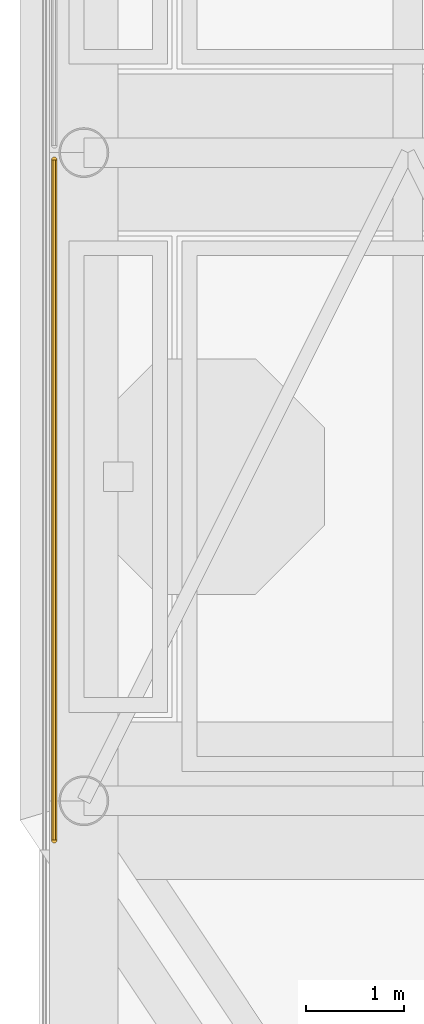
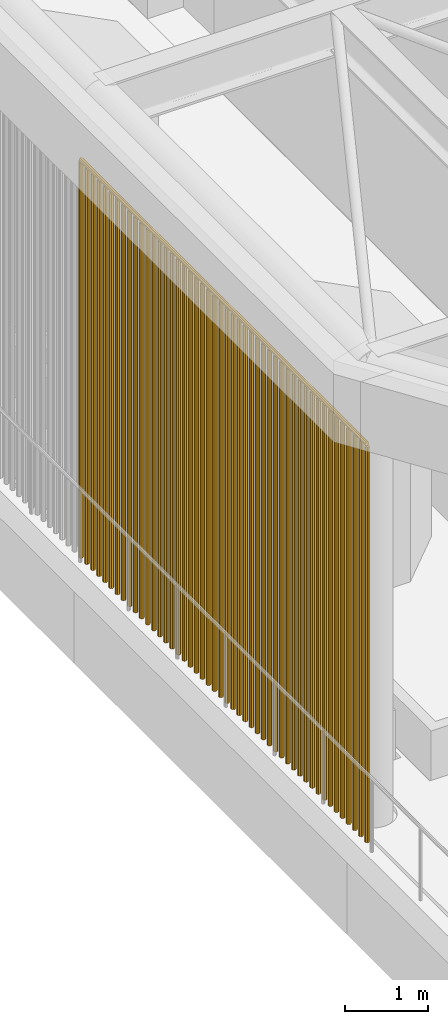
# One storey, part 9 of 22: 1 covering.
"""IFC4 building model written with IfcOpenShell, lengths in metres."""

from ifc_helpers import new_model, si_unit, direction, frame, origin, place, context, subcontext, project, spatial, polyline, outline, extrude, material, type_object, element, save


model = new_model("IFC4")

# Units and contexts
model_context = context("Model", 3, precision=1e-05, world=origin(), true_north=direction((0.0, 1.0)))
body_context = subcontext(model_context, "Body", "Model", "MODEL_VIEW")
ifc_project = project(units=[si_unit("LENGTHUNIT", "METRE"), si_unit("AREAUNIT", "SQUARE_METRE"), si_unit("VOLUMEUNIT", "CUBIC_METRE"), si_unit("PLANEANGLEUNIT", "RADIAN"), si_unit("MASSUNIT", "GRAM", prefix="KILO")], contexts=[model_context])

# Site, building, storey
site_placement = place(None, origin())
site = spatial("IfcSite", under=ifc_project, at=site_placement, CompositionType="ELEMENT")
building_placement = place(site_placement, origin())
building = spatial("IfcBuilding", under=site, at=building_placement, Name="Cobogo Forest Laboratory Tower", CompositionType="ELEMENT")
storey_placement = place(building_placement, frame((0.0, 0.0, 292.800048828125)))
storey = spatial("IfcBuildingStorey", under=building, at=storey_placement, Name="RF", CompositionType="ELEMENT", Elevation=292.800048828125)

# Covering
ifc_material = material(Name="Terracotta baguettes on a galvanised steel top rail", Category="masonry")
covering_type = type_object("IfcCoveringType", Name="CS1 crown terracotta baguette screen", PredefinedType="CLADDING", material=ifc_material)
covering_placement = place(storey_placement, frame((6.300048828125, 12.800048828125, -0.0009765625)))
element("IfcCovering", 1, at=covering_placement, inside=storey, type_object=covering_type, Name="Crown screen W1", PredefinedType="CLADDING", context=body_context, shape_type="SweptSolid", body=[
    extrude(outline(polyline([(0.02880859375, 0.011962890625), (0.011962890625, 0.02880859375), (-0.011962890625, 0.02880859375), (-0.02880859375, 0.011962890625), (-0.02880859375, -0.011962890625), (-0.011962890625, -0.02880859375), (0.011962890625, -0.02880859375), (0.02880859375, -0.011962890625), (0.02880859375, 0.011962890625)])), frame((0.0, 0.0, 5.873046875), z_axis=(0.0, 1.0, 0.0), x_axis=(-1.0, 0.0, 0.0)), (0.0, 0.0, 1.0), 6.925048828125),
    extrude(outline(polyline([(0.02880859375, 0.011962890625), (0.011962890625, 0.02880859375), (-0.011962890625, 0.02880859375), (-0.02880859375, 0.011962890625), (-0.02880859375, -0.011962890625), (-0.011962890625, -0.02880859375), (0.011962890625, -0.02880859375), (0.02880859375, -0.011962890625), (0.02880859375, 0.011962890625)])), origin(), (0.0, 0.0, 1.0), 5.841796875),
    extrude(outline(polyline([(0.02880859375, 0.011962890625), (0.011962890625, 0.02880859375), (-0.011962890625, 0.02880859375), (-0.02880859375, 0.011962890625), (-0.02880859375, -0.011962890625), (-0.011962890625, -0.02880859375), (0.011962890625, -0.02880859375), (0.02880859375, -0.011962890625), (0.02880859375, 0.011962890625)])), frame((0.0, 0.1474609375, 0.0)), (0.0, 0.0, 1.0), 5.841796875),
    extrude(outline(polyline([(0.02880859375, 0.011962890625), (0.011962890625, 0.02880859375), (-0.011962890625, 0.02880859375), (-0.02880859375, 0.011962890625), (-0.02880859375, -0.011962890625), (-0.011962890625, -0.02880859375), (0.011962890625, -0.02880859375), (0.02880859375, -0.011962890625), (0.02880859375, 0.011962890625)])), frame((0.0, 0.294677734375, 0.0)), (0.0, 0.0, 1.0), 5.841796875),
    extrude(outline(polyline([(0.02880859375, 0.011962890625), (0.011962890625, 0.02880859375), (-0.011962890625, 0.02880859375), (-0.02880859375, 0.011962890625), (-0.02880859375, -0.011962890625), (-0.011962890625, -0.02880859375), (0.011962890625, -0.02880859375), (0.02880859375, -0.011962890625), (0.02880859375, 0.011962890625)])), frame((0.0, 0.442138671875, 0.0)), (0.0, 0.0, 1.0), 5.841796875),
    extrude(outline(polyline([(0.02880859375, 0.011962890625), (0.011962890625, 0.02880859375), (-0.011962890625, 0.02880859375), (-0.02880859375, 0.011962890625), (-0.02880859375, -0.011962890625), (-0.011962890625, -0.02880859375), (0.011962890625, -0.02880859375), (0.02880859375, -0.011962890625), (0.02880859375, 0.011962890625)])), frame((0.0, 0.58935546875, 0.0)), (0.0, 0.0, 1.0), 5.841796875),
    extrude(outline(polyline([(0.02880859375, 0.011962890625), (0.011962890625, 0.02880859375), (-0.011962890625, 0.02880859375), (-0.02880859375, 0.011962890625), (-0.02880859375, -0.011962890625), (-0.011962890625, -0.02880859375), (0.011962890625, -0.02880859375), (0.02880859375, -0.011962890625), (0.02880859375, 0.011962890625)])), frame((0.0, 0.73681640625, 0.0)), (0.0, 0.0, 1.0), 5.841796875),
    extrude(outline(polyline([(0.02880859375, 0.011962890625), (0.011962890625, 0.02880859375), (-0.011962890625, 0.02880859375), (-0.02880859375, 0.011962890625), (-0.02880859375, -0.011962890625), (-0.011962890625, -0.02880859375), (0.011962890625, -0.02880859375), (0.02880859375, -0.011962890625), (0.02880859375, 0.011962890625)])), frame((0.0, 0.884033203125, 0.0)), (0.0, 0.0, 1.0), 5.841796875),
    extrude(outline(polyline([(0.02880859375, 0.011962890625), (0.011962890625, 0.02880859375), (-0.011962890625, 0.02880859375), (-0.02880859375, 0.011962890625), (-0.02880859375, -0.011962890625), (-0.011962890625, -0.02880859375), (0.011962890625, -0.02880859375), (0.02880859375, -0.011962890625), (0.02880859375, 0.011962890625)])), frame((0.0, 1.031494140625, 0.0)), (0.0, 0.0, 1.0), 5.841796875),
    extrude(outline(polyline([(0.02880859375, 0.011962890625), (0.011962890625, 0.02880859375), (-0.011962890625, 0.02880859375), (-0.02880859375, 0.011962890625), (-0.02880859375, -0.011962890625), (-0.011962890625, -0.02880859375), (0.011962890625, -0.02880859375), (0.02880859375, -0.011962890625), (0.02880859375, 0.011962890625)])), frame((0.0, 1.1787109375, 0.0)), (0.0, 0.0, 1.0), 5.841796875),
    extrude(outline(polyline([(0.02880859375, 0.011962890625), (0.011962890625, 0.02880859375), (-0.011962890625, 0.02880859375), (-0.02880859375, 0.011962890625), (-0.02880859375, -0.011962890625), (-0.011962890625, -0.02880859375), (0.011962890625, -0.02880859375), (0.02880859375, -0.011962890625), (0.02880859375, 0.011962890625)])), frame((0.0, 1.326171875, 0.0)), (0.0, 0.0, 1.0), 5.841796875),
    extrude(outline(polyline([(0.02880859375, 0.011962890625), (0.011962890625, 0.02880859375), (-0.011962890625, 0.02880859375), (-0.02880859375, 0.011962890625), (-0.02880859375, -0.011962890625), (-0.011962890625, -0.02880859375), (0.011962890625, -0.02880859375), (0.02880859375, -0.011962890625), (0.02880859375, 0.011962890625)])), frame((0.0, 1.473388671875, 0.0)), (0.0, 0.0, 1.0), 5.841796875),
    extrude(outline(polyline([(0.02880859375, 0.011962890625), (0.011962890625, 0.02880859375), (-0.011962890625, 0.02880859375), (-0.02880859375, 0.011962890625), (-0.02880859375, -0.011962890625), (-0.011962890625, -0.02880859375), (0.011962890625, -0.02880859375), (0.02880859375, -0.011962890625), (0.02880859375, 0.011962890625)])), frame((0.0, 1.620849609375, 0.0)), (0.0, 0.0, 1.0), 5.841796875),
    extrude(outline(polyline([(0.02880859375, 0.011962890625), (0.011962890625, 0.02880859375), (-0.011962890625, 0.02880859375), (-0.02880859375, 0.011962890625), (-0.02880859375, -0.011962890625), (-0.011962890625, -0.02880859375), (0.011962890625, -0.02880859375), (0.02880859375, -0.011962890625), (0.02880859375, 0.011962890625)])), frame((0.0, 1.76806640625, 0.0)), (0.0, 0.0, 1.0), 5.841796875),
    extrude(outline(polyline([(0.02880859375, 0.011962890625), (0.011962890625, 0.02880859375), (-0.011962890625, 0.02880859375), (-0.02880859375, 0.011962890625), (-0.02880859375, -0.011962890625), (-0.011962890625, -0.02880859375), (0.011962890625, -0.02880859375), (0.02880859375, -0.011962890625), (0.02880859375, 0.011962890625)])), frame((0.0, 1.91552734375, 0.0)), (0.0, 0.0, 1.0), 5.841796875),
    extrude(outline(polyline([(0.02880859375, 0.011962890625), (0.011962890625, 0.02880859375), (-0.011962890625, 0.02880859375), (-0.02880859375, 0.011962890625), (-0.02880859375, -0.011962890625), (-0.011962890625, -0.02880859375), (0.011962890625, -0.02880859375), (0.02880859375, -0.011962890625), (0.02880859375, 0.011962890625)])), frame((0.0, 2.062744140625, 0.0)), (0.0, 0.0, 1.0), 5.841796875),
    extrude(outline(polyline([(0.02880859375, 0.011962890625), (0.011962890625, 0.02880859375), (-0.011962890625, 0.02880859375), (-0.02880859375, 0.011962890625), (-0.02880859375, -0.011962890625), (-0.011962890625, -0.02880859375), (0.011962890625, -0.02880859375), (0.02880859375, -0.011962890625), (0.02880859375, 0.011962890625)])), frame((0.0, 2.210205078125, 0.0)), (0.0, 0.0, 1.0), 5.841796875),
    extrude(outline(polyline([(0.02880859375, 0.011962890625), (0.011962890625, 0.02880859375), (-0.011962890625, 0.02880859375), (-0.02880859375, 0.011962890625), (-0.02880859375, -0.011962890625), (-0.011962890625, -0.02880859375), (0.011962890625, -0.02880859375), (0.02880859375, -0.011962890625), (0.02880859375, 0.011962890625)])), frame((0.0, 2.357421875, 0.0)), (0.0, 0.0, 1.0), 5.841796875),
    extrude(outline(polyline([(0.02880859375, 0.011962890625), (0.011962890625, 0.02880859375), (-0.011962890625, 0.02880859375), (-0.02880859375, 0.011962890625), (-0.02880859375, -0.011962890625), (-0.011962890625, -0.02880859375), (0.011962890625, -0.02880859375), (0.02880859375, -0.011962890625), (0.02880859375, 0.011962890625)])), frame((0.0, 2.5048828125, 0.0)), (0.0, 0.0, 1.0), 5.841796875),
    extrude(outline(polyline([(0.02880859375, 0.011962890625), (0.011962890625, 0.02880859375), (-0.011962890625, 0.02880859375), (-0.02880859375, 0.011962890625), (-0.02880859375, -0.011962890625), (-0.011962890625, -0.02880859375), (0.011962890625, -0.02880859375), (0.02880859375, -0.011962890625), (0.02880859375, 0.011962890625)])), frame((0.0, 2.652099609375, 0.0)), (0.0, 0.0, 1.0), 5.841796875),
    extrude(outline(polyline([(0.02880859375, 0.011962890625), (0.011962890625, 0.02880859375), (-0.011962890625, 0.02880859375), (-0.02880859375, 0.011962890625), (-0.02880859375, -0.011962890625), (-0.011962890625, -0.02880859375), (0.011962890625, -0.02880859375), (0.02880859375, -0.011962890625), (0.02880859375, 0.011962890625)])), frame((0.0, 2.799560546875, 0.0)), (0.0, 0.0, 1.0), 5.841796875),
    extrude(outline(polyline([(0.02880859375, 0.011962890625), (0.011962890625, 0.02880859375), (-0.011962890625, 0.02880859375), (-0.02880859375, 0.011962890625), (-0.02880859375, -0.011962890625), (-0.011962890625, -0.02880859375), (0.011962890625, -0.02880859375), (0.02880859375, -0.011962890625), (0.02880859375, 0.011962890625)])), frame((0.0, 2.94677734375, 0.0)), (0.0, 0.0, 1.0), 5.841796875),
    extrude(outline(polyline([(0.02880859375, 0.011962890625), (0.011962890625, 0.02880859375), (-0.011962890625, 0.02880859375), (-0.02880859375, 0.011962890625), (-0.02880859375, -0.011962890625), (-0.011962890625, -0.02880859375), (0.011962890625, -0.02880859375), (0.02880859375, -0.011962890625), (0.02880859375, 0.011962890625)])), frame((0.0, 3.09423828125, 0.0)), (0.0, 0.0, 1.0), 5.841796875),
    extrude(outline(polyline([(0.02880859375, 0.011962890625), (0.011962890625, 0.02880859375), (-0.011962890625, 0.02880859375), (-0.02880859375, 0.011962890625), (-0.02880859375, -0.011962890625), (-0.011962890625, -0.02880859375), (0.011962890625, -0.02880859375), (0.02880859375, -0.011962890625), (0.02880859375, 0.011962890625)])), frame((0.0, 3.241455078125, 0.0)), (0.0, 0.0, 1.0), 5.841796875),
    extrude(outline(polyline([(0.02880859375, 0.011962890625), (0.011962890625, 0.02880859375), (-0.011962890625, 0.02880859375), (-0.02880859375, 0.011962890625), (-0.02880859375, -0.011962890625), (-0.011962890625, -0.02880859375), (0.011962890625, -0.02880859375), (0.02880859375, -0.011962890625), (0.02880859375, 0.011962890625)])), frame((0.0, 3.388916015625, 0.0)), (0.0, 0.0, 1.0), 5.841796875),
    extrude(outline(polyline([(0.02880859375, 0.011962890625), (0.011962890625, 0.02880859375), (-0.011962890625, 0.02880859375), (-0.02880859375, 0.011962890625), (-0.02880859375, -0.011962890625), (-0.011962890625, -0.02880859375), (0.011962890625, -0.02880859375), (0.02880859375, -0.011962890625), (0.02880859375, 0.011962890625)])), frame((0.0, 3.5361328125, 0.0)), (0.0, 0.0, 1.0), 5.841796875),
    extrude(outline(polyline([(0.02880859375, 0.011962890625), (0.011962890625, 0.02880859375), (-0.011962890625, 0.02880859375), (-0.02880859375, 0.011962890625), (-0.02880859375, -0.011962890625), (-0.011962890625, -0.02880859375), (0.011962890625, -0.02880859375), (0.02880859375, -0.011962890625), (0.02880859375, 0.011962890625)])), frame((0.0, 3.68359375, 0.0)), (0.0, 0.0, 1.0), 5.841796875),
    extrude(outline(polyline([(0.02880859375, 0.011962890625), (0.011962890625, 0.02880859375), (-0.011962890625, 0.02880859375), (-0.02880859375, 0.011962890625), (-0.02880859375, -0.011962890625), (-0.011962890625, -0.02880859375), (0.011962890625, -0.02880859375), (0.02880859375, -0.011962890625), (0.02880859375, 0.011962890625)])), frame((0.0, 3.830810546875, 0.0)), (0.0, 0.0, 1.0), 5.841796875),
    extrude(outline(polyline([(0.02880859375, 0.011962890625), (0.011962890625, 0.02880859375), (-0.011962890625, 0.02880859375), (-0.02880859375, 0.011962890625), (-0.02880859375, -0.011962890625), (-0.011962890625, -0.02880859375), (0.011962890625, -0.02880859375), (0.02880859375, -0.011962890625), (0.02880859375, 0.011962890625)])), frame((0.0, 3.978271484375, 0.0)), (0.0, 0.0, 1.0), 5.841796875),
    extrude(outline(polyline([(0.02880859375, 0.011962890625), (0.011962890625, 0.02880859375), (-0.011962890625, 0.02880859375), (-0.02880859375, 0.011962890625), (-0.02880859375, -0.011962890625), (-0.011962890625, -0.02880859375), (0.011962890625, -0.02880859375), (0.02880859375, -0.011962890625), (0.02880859375, 0.011962890625)])), frame((0.0, 4.12548828125, 0.0)), (0.0, 0.0, 1.0), 5.841796875),
    extrude(outline(polyline([(0.02880859375, 0.011962890625), (0.011962890625, 0.02880859375), (-0.011962890625, 0.02880859375), (-0.02880859375, 0.011962890625), (-0.02880859375, -0.011962890625), (-0.011962890625, -0.02880859375), (0.011962890625, -0.02880859375), (0.02880859375, -0.011962890625), (0.02880859375, 0.011962890625)])), frame((0.0, 4.27294921875, 0.0)), (0.0, 0.0, 1.0), 5.841796875),
    extrude(outline(polyline([(0.02880859375, 0.011962890625), (0.011962890625, 0.02880859375), (-0.011962890625, 0.02880859375), (-0.02880859375, 0.011962890625), (-0.02880859375, -0.011962890625), (-0.011962890625, -0.02880859375), (0.011962890625, -0.02880859375), (0.02880859375, -0.011962890625), (0.02880859375, 0.011962890625)])), frame((0.0, 4.420166015625, 0.0)), (0.0, 0.0, 1.0), 5.841796875),
    extrude(outline(polyline([(0.02880859375, 0.011962890625), (0.011962890625, 0.02880859375), (-0.011962890625, 0.02880859375), (-0.02880859375, 0.011962890625), (-0.02880859375, -0.011962890625), (-0.011962890625, -0.02880859375), (0.011962890625, -0.02880859375), (0.02880859375, -0.011962890625), (0.02880859375, 0.011962890625)])), frame((0.0, 4.567626953125, 0.0)), (0.0, 0.0, 1.0), 5.841796875),
    extrude(outline(polyline([(0.02880859375, 0.011962890625), (0.011962890625, 0.02880859375), (-0.011962890625, 0.02880859375), (-0.02880859375, 0.011962890625), (-0.02880859375, -0.011962890625), (-0.011962890625, -0.02880859375), (0.011962890625, -0.02880859375), (0.02880859375, -0.011962890625), (0.02880859375, 0.011962890625)])), frame((0.0, 4.71484375, 0.0)), (0.0, 0.0, 1.0), 5.841796875),
    extrude(outline(polyline([(0.02880859375, 0.011962890625), (0.011962890625, 0.02880859375), (-0.011962890625, 0.02880859375), (-0.02880859375, 0.011962890625), (-0.02880859375, -0.011962890625), (-0.011962890625, -0.02880859375), (0.011962890625, -0.02880859375), (0.02880859375, -0.011962890625), (0.02880859375, 0.011962890625)])), frame((0.0, 4.8623046875, 0.0)), (0.0, 0.0, 1.0), 5.841796875),
    extrude(outline(polyline([(0.02880859375, 0.011962890625), (0.011962890625, 0.02880859375), (-0.011962890625, 0.02880859375), (-0.02880859375, 0.011962890625), (-0.02880859375, -0.011962890625), (-0.011962890625, -0.02880859375), (0.011962890625, -0.02880859375), (0.02880859375, -0.011962890625), (0.02880859375, 0.011962890625)])), frame((0.0, 5.009521484375, 0.0)), (0.0, 0.0, 1.0), 5.841796875),
    extrude(outline(polyline([(0.02880859375, 0.011962890625), (0.011962890625, 0.02880859375), (-0.011962890625, 0.02880859375), (-0.02880859375, 0.011962890625), (-0.02880859375, -0.011962890625), (-0.011962890625, -0.02880859375), (0.011962890625, -0.02880859375), (0.02880859375, -0.011962890625), (0.02880859375, 0.011962890625)])), frame((0.0, 5.156982421875, 0.0)), (0.0, 0.0, 1.0), 5.841796875),
    extrude(outline(polyline([(0.02880859375, 0.011962890625), (0.011962890625, 0.02880859375), (-0.011962890625, 0.02880859375), (-0.02880859375, 0.011962890625), (-0.02880859375, -0.011962890625), (-0.011962890625, -0.02880859375), (0.011962890625, -0.02880859375), (0.02880859375, -0.011962890625), (0.02880859375, 0.011962890625)])), frame((0.0, 5.30419921875, 0.0)), (0.0, 0.0, 1.0), 5.841796875),
    extrude(outline(polyline([(0.02880859375, 0.011962890625), (0.011962890625, 0.02880859375), (-0.011962890625, 0.02880859375), (-0.02880859375, 0.011962890625), (-0.02880859375, -0.011962890625), (-0.011962890625, -0.02880859375), (0.011962890625, -0.02880859375), (0.02880859375, -0.011962890625), (0.02880859375, 0.011962890625)])), frame((0.0, 5.45166015625, 0.0)), (0.0, 0.0, 1.0), 5.841796875),
    extrude(outline(polyline([(0.02880859375, 0.011962890625), (0.011962890625, 0.02880859375), (-0.011962890625, 0.02880859375), (-0.02880859375, 0.011962890625), (-0.02880859375, -0.011962890625), (-0.011962890625, -0.02880859375), (0.011962890625, -0.02880859375), (0.02880859375, -0.011962890625), (0.02880859375, 0.011962890625)])), frame((0.0, 5.598876953125, 0.0)), (0.0, 0.0, 1.0), 5.841796875),
    extrude(outline(polyline([(0.02880859375, 0.011962890625), (0.011962890625, 0.02880859375), (-0.011962890625, 0.02880859375), (-0.02880859375, 0.011962890625), (-0.02880859375, -0.011962890625), (-0.011962890625, -0.02880859375), (0.011962890625, -0.02880859375), (0.02880859375, -0.011962890625), (0.02880859375, 0.011962890625)])), frame((0.0, 5.746337890625, 0.0)), (0.0, 0.0, 1.0), 5.841796875),
    extrude(outline(polyline([(0.02880859375, 0.011962890625), (0.011962890625, 0.02880859375), (-0.011962890625, 0.02880859375), (-0.02880859375, 0.011962890625), (-0.02880859375, -0.011962890625), (-0.011962890625, -0.02880859375), (0.011962890625, -0.02880859375), (0.02880859375, -0.011962890625), (0.02880859375, 0.011962890625)])), frame((0.0, 5.8935546875, 0.0)), (0.0, 0.0, 1.0), 5.841796875),
    extrude(outline(polyline([(0.02880859375, 0.011962890625), (0.011962890625, 0.02880859375), (-0.011962890625, 0.02880859375), (-0.02880859375, 0.011962890625), (-0.02880859375, -0.011962890625), (-0.011962890625, -0.02880859375), (0.011962890625, -0.02880859375), (0.02880859375, -0.011962890625), (0.02880859375, 0.011962890625)])), frame((0.0, 6.041015625, 0.0)), (0.0, 0.0, 1.0), 5.841796875),
    extrude(outline(polyline([(0.02880859375, 0.011962890625), (0.011962890625, 0.02880859375), (-0.011962890625, 0.02880859375), (-0.02880859375, 0.011962890625), (-0.02880859375, -0.011962890625), (-0.011962890625, -0.02880859375), (0.011962890625, -0.02880859375), (0.02880859375, -0.011962890625), (0.02880859375, 0.011962890625)])), frame((0.0, 6.188232421875, 0.0)), (0.0, 0.0, 1.0), 5.841796875),
    extrude(outline(polyline([(0.02880859375, 0.011962890625), (0.011962890625, 0.02880859375), (-0.011962890625, 0.02880859375), (-0.02880859375, 0.011962890625), (-0.02880859375, -0.011962890625), (-0.011962890625, -0.02880859375), (0.011962890625, -0.02880859375), (0.02880859375, -0.011962890625), (0.02880859375, 0.011962890625)])), frame((0.0, 6.335693359375, 0.0)), (0.0, 0.0, 1.0), 5.841796875),
    extrude(outline(polyline([(0.02880859375, 0.011962890625), (0.011962890625, 0.02880859375), (-0.011962890625, 0.02880859375), (-0.02880859375, 0.011962890625), (-0.02880859375, -0.011962890625), (-0.011962890625, -0.02880859375), (0.011962890625, -0.02880859375), (0.02880859375, -0.011962890625), (0.02880859375, 0.011962890625)])), frame((0.0, 6.48291015625, 0.0)), (0.0, 0.0, 1.0), 5.841796875),
    extrude(outline(polyline([(0.02880859375, 0.011962890625), (0.011962890625, 0.02880859375), (-0.011962890625, 0.02880859375), (-0.02880859375, 0.011962890625), (-0.02880859375, -0.011962890625), (-0.011962890625, -0.02880859375), (0.011962890625, -0.02880859375), (0.02880859375, -0.011962890625), (0.02880859375, 0.011962890625)])), frame((0.0, 6.63037109375, 0.0)), (0.0, 0.0, 1.0), 5.841796875),
    extrude(outline(polyline([(0.02880859375, 0.011962890625), (0.011962890625, 0.02880859375), (-0.011962890625, 0.02880859375), (-0.02880859375, 0.011962890625), (-0.02880859375, -0.011962890625), (-0.011962890625, -0.02880859375), (0.011962890625, -0.02880859375), (0.02880859375, -0.011962890625), (0.02880859375, 0.011962890625)])), frame((0.0, 6.777587890625, 0.0)), (0.0, 0.0, 1.0), 5.841796875),
    extrude(outline(polyline([(0.02880859375, 0.011962890625), (0.011962890625, 0.02880859375), (-0.011962890625, 0.02880859375), (-0.02880859375, 0.011962890625), (-0.02880859375, -0.011962890625), (-0.011962890625, -0.02880859375), (0.011962890625, -0.02880859375), (0.02880859375, -0.011962890625), (0.02880859375, 0.011962890625)])), frame((0.0, 6.925048828125, 0.0)), (0.0, 0.0, 1.0), 5.841796875),
])

save(model, "model.ifc")
